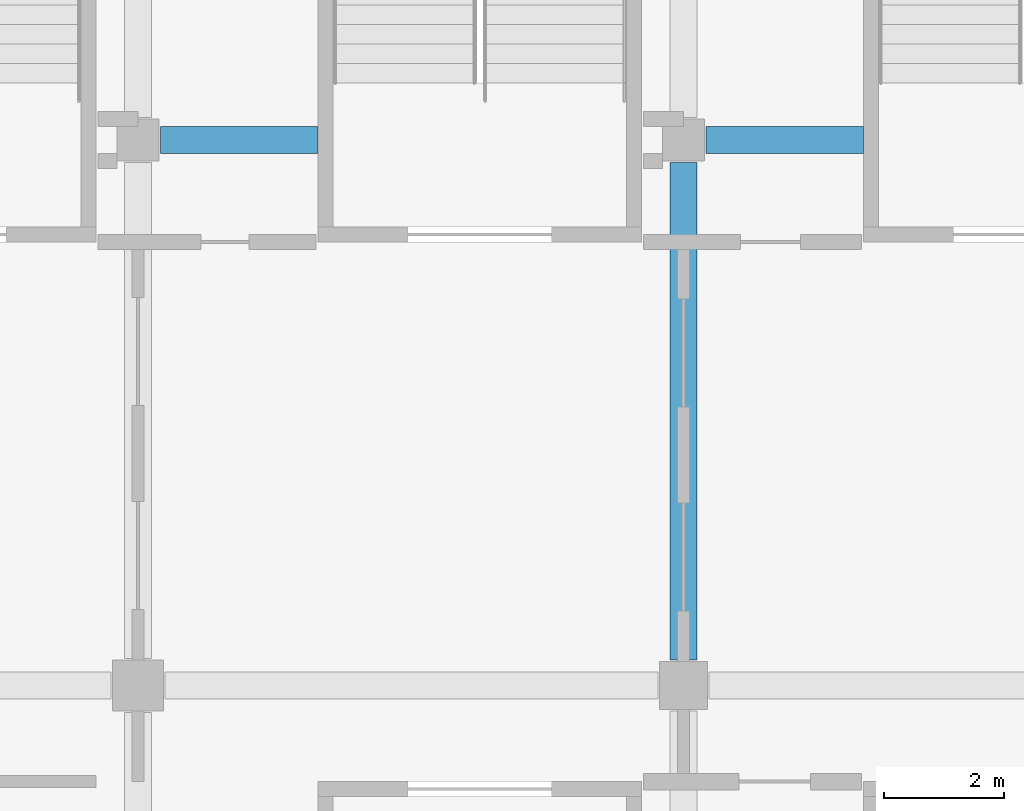
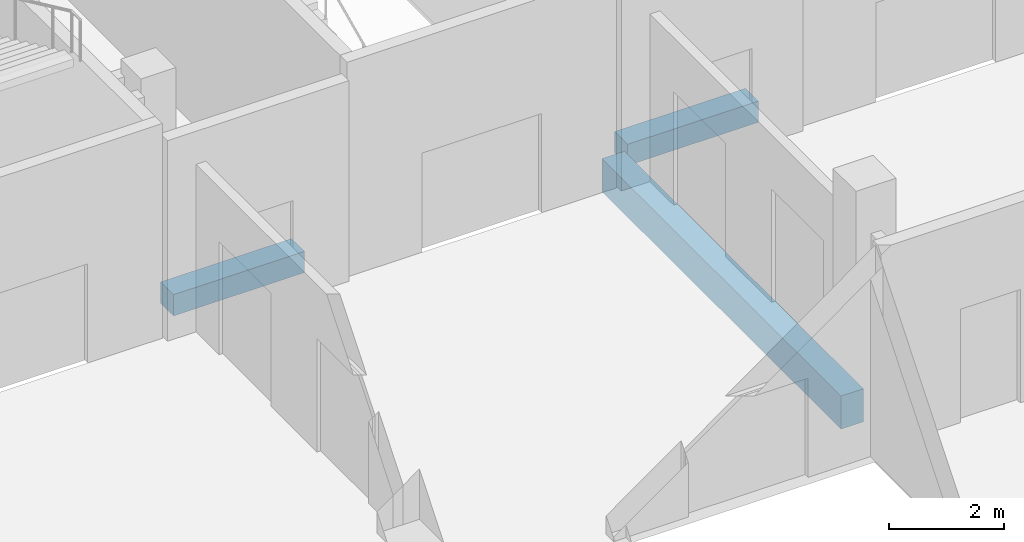
# One storey, part 59 of 126: 3 beams.
"""IFC4 building model written with IfcOpenShell, lengths in metres."""

from ifc_helpers import new_model, si_unit, direction, frame, origin, origin_2d, place, context, subcontext, project, spatial, rectangle, extrude, material, material_profile, profile_set, type_object, element, save


model = new_model("IFC4")

# Units and contexts
model_context = context("Model", 3, precision=1e-05, world=origin(), true_north=direction((0.0, 1.0)))
body_context = subcontext(model_context, "Body", "Model", "MODEL_VIEW")
ifc_project = project(units=[si_unit("LENGTHUNIT", "METRE"), si_unit("AREAUNIT", "SQUARE_METRE"), si_unit("VOLUMEUNIT", "CUBIC_METRE"), si_unit("PLANEANGLEUNIT", "RADIAN"), si_unit("MASSUNIT", "GRAM", prefix="KILO")], contexts=[model_context])

# Site, building, storey
site_placement = place(None, origin())
site = spatial("IfcSite", under=ifc_project, at=site_placement, CompositionType="ELEMENT")
building_placement = place(site_placement, origin())
building = spatial("IfcBuilding", under=site, at=building_placement, Name="Shirokan Park Arena", CompositionType="ELEMENT")
storey_placement = place(building_placement, frame((0.0, 0.0, 6.3701171875)))
storey = spatial("IfcBuildingStorey", under=building, at=storey_placement, Name="L01", CompositionType="ELEMENT", Elevation=6.3701171875)

# Beams
ifc_material = material(Name="Concrete C35", Category="concrete")
ifc_material_profile_1 = material_profile(ifc_material, rectangle(XDim=0.449951171875, YDim=0.699951171875, at=origin_2d()), Name="450x700")
ifc_profile_set_1 = profile_set([ifc_material_profile_1], Name="Concrete C35")
beam_type_1 = type_object("IfcBeamType", Name="RC girder 450x700", PredefinedType="BEAM", material=ifc_profile_set_1)
beam_1_placement = place(storey_placement, frame((136.5, 91.425048828125, -0.7001953125), z_axis=(0.0, 1.0, 0.0), x_axis=(-1.0, 0.0, 0.0)))
element("IfcBeam", 1, at=beam_1_placement, inside=storey, type_object=beam_type_1, Name="Girder 16L-16M L01", PredefinedType="BEAM", context=body_context, shape_type="SweptSolid", body=[
    extrude(rectangle(XDim=0.449951171875, YDim=0.699951171875, at=origin_2d()), origin(), (0.0, 0.0, 1.0), 8.2998046875),
])
ifc_material_profile_2 = material_profile(ifc_material, rectangle(XDim=0.449951171875, YDim=0.449951171875, at=origin_2d()), Name="450x450")
ifc_profile_set_2 = profile_set([ifc_material_profile_2], Name="Concrete C35")
beam_type_2 = type_object("IfcBeamType", Name="RC trimmer 450x450", PredefinedType="BEAM", material=ifc_profile_set_2)
beam_2_placement = place(storey_placement, frame((127.775146484375, 100.10009765625, -0.5751953125), z_axis=(1.0, 0.0, 0.0), x_axis=(0.0, 1.0, 0.0)))
element("IfcBeam", 2, at=beam_2_placement, inside=storey, type_object=beam_type_2, Name="Girder 15M-16M L01", PredefinedType="BEAM", context=body_context, shape_type="SweptSolid", body=[
    extrude(rectangle(XDim=0.449951171875, YDim=0.449951171875, at=origin_2d()), origin(), (0.0, 0.0, 1.0), 2.624755859375),
])
beam_3_placement = place(storey_placement, frame((136.875, 100.10009765625, -0.5751953125), z_axis=(1.0, 0.0, 0.0), x_axis=(0.0, 1.0, 0.0)))
element("IfcBeam", 3, at=beam_3_placement, inside=storey, type_object=beam_type_2, Name="Girder 16M-17M L01", PredefinedType="BEAM", context=body_context, shape_type="SweptSolid", body=[
    extrude(rectangle(XDim=0.449951171875, YDim=0.449951171875, at=origin_2d()), origin(), (0.0, 0.0, 1.0), 2.625),
])

save(model, "model.ifc")
